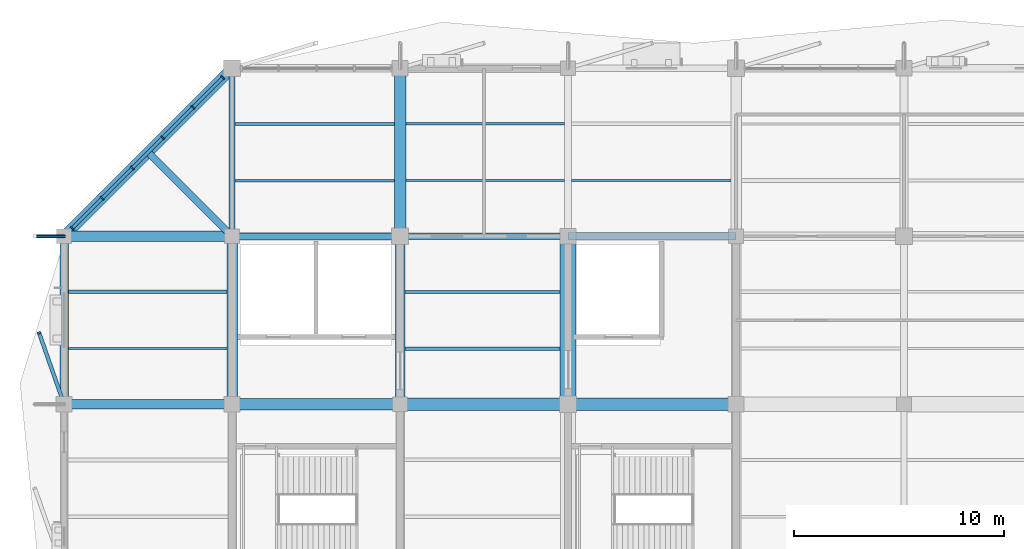
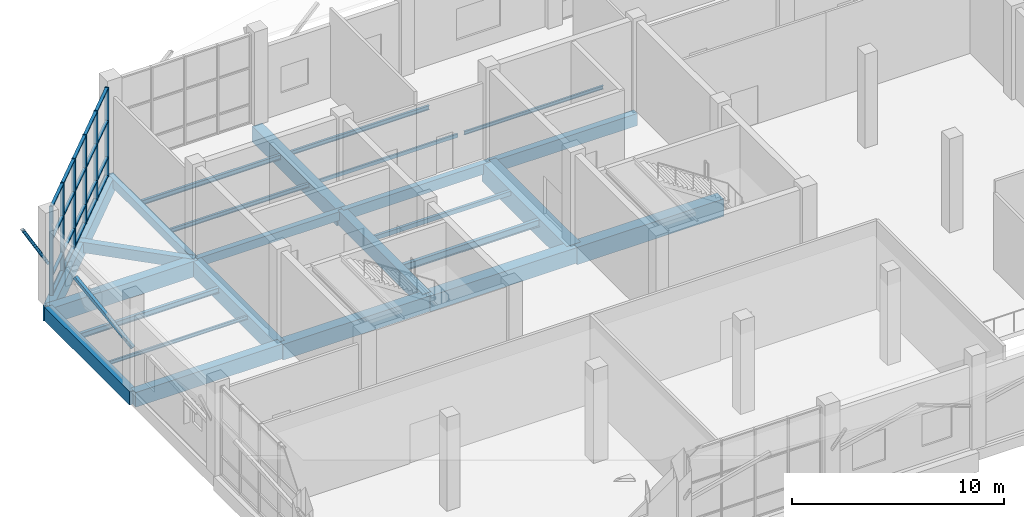
# One storey, part 36 of 122: 28 members, 25 beams, 1 element without a shape of its own.
"""IFC4 building model written with IfcOpenShell, lengths in metres."""

import ifcopenshell
import ifcopenshell.guid

model = None  # the IFC model being written
_history = None  # IfcOwnerHistory: only IFC2X3 demands one
_inside = {}  # id of a spatial element -> (the spatial element, [elements in it])
_under = {}  # id of a project, library or spatial element -> (it, [spatial elements below it])
_declared = {}  # id of a project -> (the project, [libraries it declares])
_typed = {}  # id of a type object -> (the type object, [elements of that type])
_made_of = {}  # id of a material, layer set ... -> (it, [elements and type objects made of it])


def new_model(schema):
    """Start an empty IFC model of exactly this schema.

    Asked for "IFC4X3", IfcOpenShell would pick the latest addendum, in which some entities
    have other attributes; the version numbers below select the first issue.
    IFC2X3 requires an IfcOwnerHistory on every rooted entity: one is made here for all.
    """
    global model, _history
    if schema == "IFC4X3":
        model = ifcopenshell.file(schema_version=(4, 3, 0, 0))
    else:
        model = ifcopenshell.file(schema=schema)
    _inside.clear()
    _under.clear()
    _declared.clear()
    _typed.clear()
    _made_of.clear()
    _history = None
    if model.schema == "IFC2X3":
        org = make("IfcOrganization", Name="unknown")
        user = make(
            "IfcPersonAndOrganization",
            ThePerson=make("IfcPerson", FamilyName="unknown"),
            TheOrganization=org,
        )
        app = make(
            "IfcApplication",
            ApplicationDeveloper=org,
            Version="unknown",
            ApplicationFullName="unknown",
            ApplicationIdentifier="unknown",
        )
        _history = make(
            "IfcOwnerHistory",
            OwningUser=user,
            OwningApplication=app,
            ChangeAction="ADDED",
            CreationDate=0,
        )
    return model


def make(cls, **values):
    """One entity of the class cls with the attributes given. An attribute that is None is left unset."""
    return model.create_entity(
        cls, **{name: value for name, value in values.items() if value is not None}
    )


def rooted(cls, **values):
    """An entity with a GlobalId (a new one), such as an element, a storey or a relation."""
    return make(cls, GlobalId=ifcopenshell.guid.new(), OwnerHistory=_history, **values)


def si_unit(unit_type, name, prefix=None):
    """IfcSIUnit, for example si_unit("LENGTHUNIT", "METRE", prefix="MILLI")."""
    return make("IfcSIUnit", UnitType=unit_type, Prefix=prefix, Name=name)


def assignment(units):
    """IfcUnitAssignment: the units of a project."""
    return None if units is None else make("IfcUnitAssignment", Units=units)


def point(xyz):
    """IfcCartesianPoint."""
    return None if xyz is None else make("IfcCartesianPoint", Coordinates=xyz)


def direction(xyz):
    """IfcDirection."""
    return None if xyz is None else make("IfcDirection", DirectionRatios=xyz)


def frame(location, z_axis=None, x_axis=None):
    """IfcAxis2Placement3D, a coordinate frame: its origin and axes. An axis left out is left unset."""
    return make(
        "IfcAxis2Placement3D",
        Location=point(location),
        Axis=direction(z_axis),
        RefDirection=direction(x_axis),
    )


def frame_2d(location, x_axis=None):
    """IfcAxis2Placement2D, a coordinate frame in the plane: its origin and x axis."""
    return make(
        "IfcAxis2Placement2D", Location=point(location), RefDirection=direction(x_axis)
    )


def origin():
    """The frame at (0, 0, 0) with its axes left unset."""
    return frame((0.0, 0.0, 0.0))


def origin_2d():
    """The frame at (0, 0) in the plane with its x axis left unset."""
    return frame_2d((0.0, 0.0))


def place(relative_to, where):
    """IfcLocalPlacement: puts the frame where relative to a parent placement (None: the world)."""
    return make(
        "IfcLocalPlacement", PlacementRelTo=relative_to, RelativePlacement=where
    )


def context(
    kind, dimensions, precision=None, world=None, true_north=None, identifier=None
):
    """IfcGeometricRepresentationContext, for example the 3D "Model" context."""
    return make(
        "IfcGeometricRepresentationContext",
        ContextIdentifier=identifier,
        ContextType=kind,
        CoordinateSpaceDimension=dimensions,
        Precision=precision,
        WorldCoordinateSystem=world,
        TrueNorth=true_north,
    )


def subcontext(parent, identifier, kind, view, scale=None):
    """IfcGeometricRepresentationSubContext, for example "Body" below "Model"."""
    return make(
        "IfcGeometricRepresentationSubContext",
        ContextIdentifier=identifier,
        ContextType=kind,
        ParentContext=parent,
        TargetScale=scale,
        TargetView=view,
    )


def project(units=None, contexts=None):
    """IfcProject with its units and contexts."""
    return rooted(
        "IfcProject",
        Name="project",
        RepresentationContexts=contexts,
        UnitsInContext=assignment(units),
    )


def spatial(cls, under=None, at=None, **own):
    """A site, building, storey or space (cls), placed at a placement, below another one or the project."""
    s = rooted(cls, ObjectPlacement=at, **own)
    if under is not None:
        _under.setdefault(under.id(), (under, []))[1].append(s)
    return s


def profile(cls, at=None, kind="AREA", **sizes):
    """A parametric profile (cls). Its sizes go by their IFC names, for example OverallWidth=200.0."""
    return make(cls, ProfileType=kind, Position=at, **sizes)


def rectangle(**sizes):
    """IfcRectangleProfileDef."""
    return profile("IfcRectangleProfileDef", **sizes)


def hollow_rectangle(**sizes):
    """IfcRectangleHollowProfileDef."""
    return profile("IfcRectangleHollowProfileDef", **sizes)


def hollow_circle(**sizes):
    """IfcCircleHollowProfileDef."""
    return profile("IfcCircleHollowProfileDef", **sizes)


def i_section(**sizes):
    """IfcIShapeProfileDef."""
    return profile("IfcIShapeProfileDef", **sizes)


def extrude(swept, where, along, depth):
    """IfcExtrudedAreaSolid: the profile swept, set in the frame where, extruded along a direction by depth."""
    return make(
        "IfcExtrudedAreaSolid",
        SweptArea=swept,
        Position=where,
        ExtrudedDirection=direction(along),
        Depth=depth,
    )


def shape(context_of_items, identifier, shape_type, items):
    """IfcShapeRepresentation: the items that make up one representation, for example the "Body"."""
    return make(
        "IfcShapeRepresentation",
        ContextOfItems=context_of_items,
        RepresentationIdentifier=identifier,
        RepresentationType=shape_type,
        Items=items,
    )


def material(Name=None, Category=None):
    """IfcMaterial."""
    return make("IfcMaterial", Name=Name, Category=Category)


def material_profile(
    of_material, cross_section, Name=None, Category=None, Priority=None
):
    """IfcMaterialProfile: a cross section and its material."""
    return make(
        "IfcMaterialProfile",
        Name=Name,
        Material=of_material,
        Profile=cross_section,
        Priority=Priority,
        Category=Category,
    )


def profile_set(profiles, Name=None, composite=None):
    """IfcMaterialProfileSet."""
    return make(
        "IfcMaterialProfileSet",
        Name=Name,
        MaterialProfiles=profiles,
        CompositeProfile=composite,
    )


def made_of(thing, what):
    """Note that an element or type object is made of a material, layer set ...; save() writes the relation."""
    if what is not None:
        _made_of.setdefault(what.id(), (what, []))[1].append(thing)
    return thing


def type_object(cls, material=None, **own):
    """A type object (cls), such as IfcWallType, which elements share."""
    return made_of(rooted(cls, **own), material)


def element(
    cls,
    number,
    at=None,
    inside=None,
    cuts=None,
    type_object=None,
    material=None,
    context=None,
    identifier="Body",
    shape_type=None,
    held_by="IfcProductDefinitionShape",
    body=None,
    shapes=None,
    **own,
):
    """One element of the class cls, such as IfcWall. Its Tag is "e" and its number.

    at: its placement. inside: the storey or other place that contains it. cuts: it is an
    opening in that element (IfcRelVoidsElement). A single representation is given by context,
    identifier, shape_type and body (its items); several are given by shapes. held_by: the class
    of the entity that holds the representations. save() writes the other relations.
    """
    e = rooted(cls, Tag="e%d" % number, ObjectPlacement=at, **own)
    if body is not None:
        shapes = [shape(context, identifier, shape_type, body)]
    if shapes is not None:
        e.Representation = make(held_by, Representations=shapes)
    if inside is not None:
        _inside.setdefault(inside.id(), (inside, []))[1].append(e)
    if cuts is not None:
        rooted(
            "IfcRelVoidsElement", RelatingBuildingElement=cuts, RelatedOpeningElement=e
        )
    if type_object is not None:
        _typed.setdefault(type_object.id(), (type_object, []))[1].append(e)
    return made_of(e, material)


def aggregate(whole, parts):
    """IfcRelAggregates: a whole, such as a stair, and the parts it consists of."""
    return rooted("IfcRelAggregates", RelatingObject=whole, RelatedObjects=parts)


def save(model, path):
    """Write the relations noted so far, then the file.

    IfcRelAggregates (storeys below a building ...), IfcRelContainedInSpatialStructure (elements
    in a storey), IfcRelDefinesByType, IfcRelAssociatesMaterial and IfcRelDeclares: one each for
    every whole, place, type object, material and project.
    """
    for whole, parts in _under.values():
        aggregate(whole, parts)
    for where, things in _inside.values():
        rooted(
            "IfcRelContainedInSpatialStructure",
            RelatedElements=things,
            RelatingStructure=where,
        )
    for kind, things in _typed.values():
        rooted("IfcRelDefinesByType", RelatedObjects=things, RelatingType=kind)
    for what, things in _made_of.values():
        rooted("IfcRelAssociatesMaterial", RelatedObjects=things, RelatingMaterial=what)
    for by, libraries in _declared.values():
        rooted("IfcRelDeclares", RelatingContext=by, RelatedDefinitions=libraries)
    model.write(path)


model = new_model("IFC4")

# Units and contexts
model_context = context("Model", 3, precision=1e-05, world=origin(), true_north=direction((0.0, 1.0)))
body_context = subcontext(model_context, "Body", "Model", "MODEL_VIEW")
ifc_project = project(units=[si_unit("LENGTHUNIT", "METRE"), si_unit("AREAUNIT", "SQUARE_METRE"), si_unit("VOLUMEUNIT", "CUBIC_METRE"), si_unit("PLANEANGLEUNIT", "RADIAN"), si_unit("MASSUNIT", "GRAM", prefix="KILO")], contexts=[model_context])

# Site, building, storey
site_placement = place(None, origin())
site = spatial("IfcSite", under=ifc_project, at=site_placement, CompositionType="ELEMENT")
building_placement = place(site_placement, origin())
building = spatial("IfcBuilding", under=site, at=building_placement, Name="Tenunan Teduh Sports Hall", CompositionType="ELEMENT")
storey_placement = place(building_placement, frame((0.0, 0.0, 5.39990234375)))
storey = spatial("IfcBuildingStorey", under=building, at=storey_placement, Name="L01", CompositionType="ELEMENT", Elevation=5.39990234375)

# Beams
ifc_material_1 = material(Name="Concrete C40/50", Category="concrete")
ifc_material_profile_1 = material_profile(ifc_material_1, rectangle(XDim=0.300048828125, YDim=0.5, at=origin_2d()), Name="RCB 300x500")
ifc_profile_set_1 = profile_set([ifc_material_profile_1], Name="Concrete C40/50")
beam_type_1 = type_object("IfcBeamType", Name="BM-RC-300x500", PredefinedType="BEAM", material=ifc_profile_set_1)
for number, where, z_axis, x_axis, name in (
    (1, (14.0, 110.0, -0.510009765625), (1.0, 0.0, 0.0), (0.0, 1.0, 0.0), "BM-B-01-L01-1156"),
    (2, (14.0, 110.0, -0.510009765625), (0.0, 1.0, 0.0), (-1.0, 0.0, 0.0), "BM-B-01-L01-1197"),
):
    element("IfcBeam", number, at=place(storey_placement, frame(where, z_axis=z_axis, x_axis=x_axis)), inside=storey, type_object=beam_type_1, Name=name, PredefinedType="BEAM", context=body_context, shape_type="SweptSolid", body=[
        extrude(rectangle(XDim=0.300048828125, YDim=0.5, at=origin_2d()), origin(), (0.0, 0.0, 1.0), 8.0),
    ])
ifc_material_2 = material(Name="Concrete C40/50", Category="concrete")
ifc_material_profile_2 = material_profile(ifc_material_2, rectangle(XDim=0.300048828125, YDim=0.60009765625, at=origin_2d()), Name="RCB 300x600")
ifc_profile_set_2 = profile_set([ifc_material_profile_2], Name="Concrete C40/50")
beam_type_2 = type_object("IfcBeamType", Name="BM-RC-300x600", PredefinedType="BEAM", material=ifc_profile_set_2)
beam_1_placement = place(storey_placement, frame((22.0, 110.0, -0.559814453125), z_axis=(1.0, 0.0, 0.0), x_axis=(0.0, 1.0, 0.0)))
element("IfcBeam", 3, at=beam_1_placement, inside=storey, type_object=beam_type_2, Name="BM-B-03-L01-1157", PredefinedType="BEAM", context=body_context, shape_type="SweptSolid", body=[
    extrude(rectangle(XDim=0.300048828125, YDim=0.60009765625, at=origin_2d()), origin(), (0.0, 0.0, 1.0), 8.0),
])
ifc_material_3 = material(Name="Concrete C40/50", Category="concrete")
ifc_material_profile_3 = material_profile(ifc_material_3, rectangle(XDim=0.35009765625, YDim=0.60009765625, at=origin_2d()), Name="RCB 350x600")
ifc_profile_set_3 = profile_set([ifc_material_profile_3], Name="Concrete C40/50")
beam_type_3 = type_object("IfcBeamType", Name="BM-RC-350x600", PredefinedType="BEAM", material=ifc_profile_set_3)
beam_2_placement = place(storey_placement, frame((14.0, 110.0, -0.559814453125), z_axis=(-0.707106781187, 0.707106781187, 0.0), x_axis=(-0.707106781187, -0.707106781187, 0.0)))
element("IfcBeam", 4, at=beam_2_placement, inside=storey, type_object=beam_type_3, Name="BM-B-04-L01-2223", PredefinedType="BEAM", context=body_context, shape_type="SweptSolid", body=[
    extrude(rectangle(XDim=0.35009765625, YDim=0.60009765625, at=origin_2d()), origin(), (0.0, 0.0, 1.0), 5.65673828125),
])
ifc_material_4 = material(Name="Concrete C40/50", Category="concrete")
ifc_material_profile_4 = material_profile(ifc_material_4, rectangle(XDim=0.35009765625, YDim=0.699951171875, at=origin_2d()), Name="RCB 350x700")
ifc_profile_set_4 = profile_set([ifc_material_profile_4], Name="Concrete C40/50")
beam_type_4 = type_object("IfcBeamType", Name="BM-RC-350x700", PredefinedType="BEAM", material=ifc_profile_set_4)
beam_3_placement = place(storey_placement, frame((30.0, 110.0, -0.60986328125), z_axis=(1.0, 0.0, 0.0), x_axis=(0.0, 1.0, 0.0)))
element("IfcBeam", 5, at=beam_3_placement, inside=storey, type_object=beam_type_4, Name="BM-B-06-L01-1158", PredefinedType="BEAM", context=body_context, shape_type="SweptSolid", body=[
    extrude(rectangle(XDim=0.35009765625, YDim=0.699951171875, at=origin_2d()), origin(), (0.0, 0.0, 1.0), 8.0),
])
ifc_material_5 = material(Name="Concrete C40/50", Category="concrete")
ifc_material_profile_5 = material_profile(ifc_material_5, rectangle(XDim=0.449951171875, YDim=0.85009765625, at=origin_2d()), Name="RCB 450x850")
ifc_profile_set_5 = profile_set([ifc_material_profile_5], Name="Concrete C40/50")
beam_type_5 = type_object("IfcBeamType", Name="BM-RC-450x850", PredefinedType="BEAM", material=ifc_profile_set_5)
for number, where, z_axis, x_axis, name in (
    (6, (6.0, 102.0, -0.684814453125), (1.0, 0.0, 0.0), (0.0, 1.0, 0.0), "BM-B-13-L01-1138"),
    (7, (22.0, 102.0, -0.684814453125), (0.0, 1.0, 0.0), (-1.0, 0.0, 0.0), "BM-B-13-L01-1201"),
):
    element("IfcBeam", number, at=place(storey_placement, frame(where, z_axis=z_axis, x_axis=x_axis)), inside=storey, type_object=beam_type_5, Name=name, PredefinedType="BEAM", context=body_context, shape_type="SweptSolid", body=[
        extrude(rectangle(XDim=0.449951171875, YDim=0.85009765625, at=origin_2d()), origin(), (0.0, 0.0, 1.0), 8.0),
    ])
ifc_material_6 = material(Name="Concrete C40/50", Category="concrete")
ifc_material_profile_6 = material_profile(ifc_material_6, rectangle(XDim=0.5, YDim=0.89990234375, at=origin_2d()), Name="RCB 500x900")
ifc_profile_set_6 = profile_set([ifc_material_profile_6], Name="Concrete C40/50")
beam_type_6 = type_object("IfcBeamType", Name="BM-RC-500x900", PredefinedType="BEAM", material=ifc_profile_set_6)
beam_4_placement = place(storey_placement, frame((6.0, 110.0, -0.7099609375), z_axis=(0.707106781187, 0.707106781187, 0.0), x_axis=(-0.707106781187, 0.707106781187, 0.0)))
element("IfcBeam", 8, at=beam_4_placement, inside=storey, type_object=beam_type_6, Name="BM-B-15-L01-0588", PredefinedType="BEAM", context=body_context, shape_type="SweptSolid", body=[
    extrude(rectangle(XDim=0.5, YDim=0.89990234375, at=origin_2d()), origin(), (0.0, 0.0, 1.0), 11.313720703125),
])
for number, where, z_axis, x_axis, name in (
    (9, (6.0, 110.0, -0.7099609375), (1.0, 0.0, 0.0), (0.0, 1.0, 0.0), "BM-B-15-L01-1155"),
    (10, (14.0, 102.0, -0.7099609375), (0.0, 1.0, 0.0), (-1.0, 0.0, 0.0), "BM-B-15-L01-1196"),
):
    element("IfcBeam", number, at=place(storey_placement, frame(where, z_axis=z_axis, x_axis=x_axis)), inside=storey, type_object=beam_type_6, Name=name, PredefinedType="BEAM", context=body_context, shape_type="SweptSolid", body=[
        extrude(rectangle(XDim=0.5, YDim=0.89990234375, at=origin_2d()), origin(), (0.0, 0.0, 1.0), 8.0),
    ])
ifc_material_7 = material(Name="Concrete C40/50", Category="concrete")
ifc_material_profile_7 = material_profile(ifc_material_7, rectangle(XDim=0.550048828125, YDim=0.89990234375, at=origin_2d()), Name="RCB 550x900")
ifc_profile_set_7 = profile_set([ifc_material_profile_7], Name="Concrete C40/50")
beam_type_7 = type_object("IfcBeamType", Name="BM-RC-550x900", PredefinedType="BEAM", material=ifc_profile_set_7)
for number, where, z_axis, x_axis, name in (
    (11, (14.0, 102.0, -0.7099609375), (1.0, 0.0, 0.0), (0.0, 1.0, 0.0), "BM-B-16-L01-1139"),
    (12, (22.0, 110.0, -0.7099609375), (0.0, 1.0, 0.0), (-1.0, 0.0, 0.0), "BM-B-16-L01-1202"),
):
    element("IfcBeam", number, at=place(storey_placement, frame(where, z_axis=z_axis, x_axis=x_axis)), inside=storey, type_object=beam_type_7, Name=name, PredefinedType="BEAM", context=body_context, shape_type="SweptSolid", body=[
        extrude(rectangle(XDim=0.550048828125, YDim=0.89990234375, at=origin_2d()), origin(), (0.0, 0.0, 1.0), 8.0),
    ])
ifc_material_8 = material(Name="Concrete C40/50", Category="concrete")
ifc_material_profile_8 = material_profile(ifc_material_8, rectangle(XDim=0.60009765625, YDim=1.0, at=origin_2d()), Name="RCB 600x1000")
ifc_profile_set_8 = profile_set([ifc_material_profile_8], Name="Concrete C40/50")
beam_type_8 = type_object("IfcBeamType", Name="BM-RC-600x1000", PredefinedType="BEAM", material=ifc_profile_set_8)
beam_5_placement = place(storey_placement, frame((30.0, 102.0, -0.760009765625), z_axis=(1.0, 0.0, 0.0), x_axis=(0.0, 1.0, 0.0)))
element("IfcBeam", 13, at=beam_5_placement, inside=storey, type_object=beam_type_8, Name="BM-B-18-L01-1141", PredefinedType="BEAM", context=body_context, shape_type="SweptSolid", body=[
    extrude(rectangle(XDim=0.60009765625, YDim=1.0, at=origin_2d()), origin(), (0.0, 0.0, 1.0), 8.0),
])
ifc_material_9 = material(Name="Concrete C40/50", Category="concrete")
ifc_material_profile_9 = material_profile(ifc_material_9, rectangle(XDim=0.60009765625, YDim=0.89990234375, at=origin_2d()), Name="RCB 600x900")
ifc_profile_set_9 = profile_set([ifc_material_profile_9], Name="Concrete C40/50")
beam_type_9 = type_object("IfcBeamType", Name="BM-RC-600x900", PredefinedType="BEAM", material=ifc_profile_set_9)
beam_6_placement = place(storey_placement, frame((22.0, 102.0, -0.7099609375), z_axis=(1.0, 0.0, 0.0), x_axis=(0.0, 1.0, 0.0)))
element("IfcBeam", 14, at=beam_6_placement, inside=storey, type_object=beam_type_9, Name="BM-B-17-L01-1140", PredefinedType="BEAM", context=body_context, shape_type="SweptSolid", body=[
    extrude(rectangle(XDim=0.60009765625, YDim=0.89990234375, at=origin_2d()), origin(), (0.0, 0.0, 1.0), 8.0),
])
ifc_material_10 = material(Name="Concrete C40/50", Category="concrete")
ifc_material_profile_10 = material_profile(ifc_material_10, rectangle(XDim=0.75, YDim=1.10009765625, at=origin_2d()), Name="RCB 750x1100")
ifc_profile_set_10 = profile_set([ifc_material_profile_10], Name="Concrete C40/50")
beam_type_10 = type_object("IfcBeamType", Name="BM-RC-750x1100", PredefinedType="SPANDREL", material=ifc_profile_set_10)
beam_7_placement = place(storey_placement, frame((30.0, 102.0, -0.809814453125), z_axis=(0.0, 1.0, 0.0), x_axis=(-1.0, 0.0, 0.0)))
element("IfcBeam", 15, at=beam_7_placement, inside=storey, type_object=beam_type_10, Name="BM-B-20-L01-1206", PredefinedType="SPANDREL", context=body_context, shape_type="SweptSolid", body=[
    extrude(rectangle(XDim=0.75, YDim=1.10009765625, at=origin_2d()), origin(), (0.0, 0.0, 1.0), 8.0),
])
ifc_material_11 = material(Name="Concrete C40/50", Category="concrete")
ifc_material_profile_11 = material_profile(ifc_material_11, rectangle(XDim=0.39990234375, YDim=0.780029296875, at=origin_2d()), Name="TB 400x780")
ifc_profile_set_11 = profile_set([ifc_material_profile_11], Name="Concrete C40/50")
beam_type_11 = type_object("IfcBeamType", Name="BM-TB-400x780", PredefinedType="T_BEAM", material=ifc_profile_set_11)
beam_8_placement = place(storey_placement, frame((6.0, 102.0, -0.64990234375), z_axis=(0.0, 1.0, 0.0), x_axis=(-1.0, 0.0, 0.0)))
element("IfcBeam", 16, at=beam_8_placement, inside=storey, type_object=beam_type_11, Name="BM-TB-02-L01-1192", PredefinedType="T_BEAM", context=body_context, shape_type="SweptSolid", body=[
    extrude(rectangle(XDim=0.39990234375, YDim=0.780029296875, at=origin_2d()), origin(), (0.0, 0.0, 1.0), 8.0),
])

# Curtain wall, members
ifc_material_12 = material(Name="Anodised aluminium", Category="aluminium")
curtain_wall_type = type_object("IfcCurtainWallType", Name="CW-UNIT-1", PredefinedType="NOTDEFINED", material=ifc_material_12)
curtain_wall_placement = place(storey_placement, origin())
curtain_wall = element("IfcCurtainWall", 17, at=curtain_wall_placement, inside=storey, type_object=curtain_wall_type, Name="CW-CWM-200-L01-208", PredefinedType="NOTDEFINED")
ifc_material_13 = material(Name="Anodised aluminium", Category="aluminium")
ifc_material_profile_12 = material_profile(ifc_material_13, rectangle(XDim=0.070068359375, YDim=0.199951171875, at=origin_2d()), Name="CWM 70x200")
ifc_profile_set_12 = profile_set([ifc_material_profile_12], Name="Anodised aluminium")
member_type_1 = type_object("IfcMemberType", Name="CWM-200", PredefinedType="MULLION", material=ifc_profile_set_12)
member_1_placement = place(storey_placement, frame((6.392333984375, 110.392333984375, 0.0), z_axis=(0.0, 0.0, 1.0), x_axis=(0.707106781187, 0.707106781187, 0.0)))
member_1 = element("IfcMember", 18, at=member_1_placement, type_object=member_type_1, Name="CW-01 mullion 1", PredefinedType="MULLION", context=body_context, shape_type="SweptSolid", body=[
    extrude(rectangle(XDim=0.070068359375, YDim=0.199951171875, at=origin_2d()), origin(), (0.0, 0.0, 1.0), 5.1201171875),
])
member_2_placement = place(storey_placement, frame((7.81005859375, 111.81005859375, 0.0), z_axis=(0.0, 0.0, 1.0), x_axis=(0.707106781187, 0.707106781187, 0.0)))
member_2 = element("IfcMember", 19, at=member_2_placement, type_object=member_type_1, Name="CW-01 mullion 2", PredefinedType="MULLION", context=body_context, shape_type="SweptSolid", body=[
    extrude(rectangle(XDim=0.070068359375, YDim=0.199951171875, at=origin_2d()), origin(), (0.0, 0.0, 1.0), 5.1201171875),
])
member_3_placement = place(storey_placement, frame((9.25244140625, 113.25244140625, 0.0), z_axis=(0.0, 0.0, 1.0), x_axis=(0.707106781187, 0.707106781187, 0.0)))
member_3 = element("IfcMember", 20, at=member_3_placement, type_object=member_type_1, Name="CW-01 mullion 3", PredefinedType="MULLION", context=body_context, shape_type="SweptSolid", body=[
    extrude(rectangle(XDim=0.070068359375, YDim=0.199951171875, at=origin_2d()), origin(), (0.0, 0.0, 1.0), 5.1201171875),
])
member_4_placement = place(storey_placement, frame((10.695068359375, 114.695068359375, 0.0), z_axis=(0.0, 0.0, 1.0), x_axis=(0.707106781187, 0.707106781187, 0.0)))
member_4 = element("IfcMember", 21, at=member_4_placement, type_object=member_type_1, Name="CW-01 mullion 4", PredefinedType="MULLION", context=body_context, shape_type="SweptSolid", body=[
    extrude(rectangle(XDim=0.070068359375, YDim=0.199951171875, at=origin_2d()), origin(), (0.0, 0.0, 1.0), 5.1201171875),
])
member_5_placement = place(storey_placement, frame((12.137451171875, 116.137451171875, 0.0), z_axis=(0.0, 0.0, 1.0), x_axis=(0.707106781187, 0.707106781187, 0.0)))
member_5 = element("IfcMember", 22, at=member_5_placement, type_object=member_type_1, Name="CW-01 mullion 5", PredefinedType="MULLION", context=body_context, shape_type="SweptSolid", body=[
    extrude(rectangle(XDim=0.070068359375, YDim=0.199951171875, at=origin_2d()), origin(), (0.0, 0.0, 1.0), 5.1201171875),
])
member_6_placement = place(storey_placement, frame((13.55517578125, 117.55517578125, 0.0), z_axis=(0.0, 0.0, 1.0), x_axis=(0.707106781187, 0.707106781187, 0.0)))
member_6 = element("IfcMember", 23, at=member_6_placement, type_object=member_type_1, Name="CW-01 mullion 6", PredefinedType="MULLION", context=body_context, shape_type="SweptSolid", body=[
    extrude(rectangle(XDim=0.070068359375, YDim=0.199951171875, at=origin_2d()), origin(), (0.0, 0.0, 1.0), 5.1201171875),
])
ifc_material_14 = material(Name="Anodised aluminium", Category="aluminium")
ifc_material_profile_13 = material_profile(ifc_material_14, rectangle(XDim=0.070068359375, YDim=0.159912109375, at=origin_2d()), Name="CWT 70x160")
ifc_profile_set_13 = profile_set([ifc_material_profile_13], Name="Anodised aluminium")
member_type_2 = type_object("IfcMemberType", Name="CWT-200", PredefinedType="USERDEFINED", material=ifc_profile_set_13)
member_7_placement = place(storey_placement, frame((6.4169921875, 110.4169921875, 0.03515625), z_axis=(0.707106781187, 0.707106781187, 0.0), x_axis=(0.0, 0.0, 1.0)))
member_7 = element("IfcMember", 24, at=member_7_placement, type_object=member_type_2, Name="CW-01 transom 1.1", ObjectType="TRANSOM", PredefinedType="USERDEFINED", context=body_context, shape_type="SweptSolid", body=[
    extrude(rectangle(XDim=0.070068359375, YDim=0.159912109375, at=origin_2d()), origin(), (0.0, 0.0, 1.0), 1.934814453125),
])
member_8_placement = place(storey_placement, frame((6.4169921875, 110.4169921875, 1.10009765625), z_axis=(0.707106781187, 0.707106781187, 0.0), x_axis=(0.0, 0.0, 1.0)))
member_8 = element("IfcMember", 25, at=member_8_placement, type_object=member_type_2, Name="CW-01 transom 1.2", ObjectType="TRANSOM", PredefinedType="USERDEFINED", context=body_context, shape_type="SweptSolid", body=[
    extrude(rectangle(XDim=0.070068359375, YDim=0.159912109375, at=origin_2d()), origin(), (0.0, 0.0, 1.0), 1.934814453125),
])
member_9_placement = place(storey_placement, frame((6.4169921875, 110.4169921875, 3.2001953125), z_axis=(0.707106781187, 0.707106781187, 0.0), x_axis=(0.0, 0.0, 1.0)))
member_9 = element("IfcMember", 26, at=member_9_placement, type_object=member_type_2, Name="CW-01 transom 1.3", ObjectType="TRANSOM", PredefinedType="USERDEFINED", context=body_context, shape_type="SweptSolid", body=[
    extrude(rectangle(XDim=0.070068359375, YDim=0.159912109375, at=origin_2d()), origin(), (0.0, 0.0, 1.0), 1.934814453125),
])
member_10_placement = place(storey_placement, frame((6.4169921875, 110.4169921875, 5.085205078125), z_axis=(0.707106781187, 0.707106781187, 0.0), x_axis=(0.0, 0.0, 1.0)))
member_10 = element("IfcMember", 27, at=member_10_placement, type_object=member_type_2, Name="CW-01 transom 1.4", ObjectType="TRANSOM", PredefinedType="USERDEFINED", context=body_context, shape_type="SweptSolid", body=[
    extrude(rectangle(XDim=0.070068359375, YDim=0.159912109375, at=origin_2d()), origin(), (0.0, 0.0, 1.0), 1.934814453125),
])
member_11_placement = place(storey_placement, frame((7.834716796875, 111.834716796875, 0.03515625), z_axis=(0.707106781187, 0.707106781187, 0.0), x_axis=(0.0, 0.0, 1.0)))
member_11 = element("IfcMember", 28, at=member_11_placement, type_object=member_type_2, Name="CW-01 transom 2.1", ObjectType="TRANSOM", PredefinedType="USERDEFINED", context=body_context, shape_type="SweptSolid", body=[
    extrude(rectangle(XDim=0.070068359375, YDim=0.159912109375, at=origin_2d()), origin(), (0.0, 0.0, 1.0), 1.97021484375),
])
member_12_placement = place(storey_placement, frame((7.834716796875, 111.834716796875, 1.10009765625), z_axis=(0.707106781187, 0.707106781187, 0.0), x_axis=(0.0, 0.0, 1.0)))
member_12 = element("IfcMember", 29, at=member_12_placement, type_object=member_type_2, Name="CW-01 transom 2.2", ObjectType="TRANSOM", PredefinedType="USERDEFINED", context=body_context, shape_type="SweptSolid", body=[
    extrude(rectangle(XDim=0.070068359375, YDim=0.159912109375, at=origin_2d()), origin(), (0.0, 0.0, 1.0), 1.97021484375),
])
member_13_placement = place(storey_placement, frame((7.834716796875, 111.834716796875, 3.2001953125), z_axis=(0.707106781187, 0.707106781187, 0.0), x_axis=(0.0, 0.0, 1.0)))
member_13 = element("IfcMember", 30, at=member_13_placement, type_object=member_type_2, Name="CW-01 transom 2.3", ObjectType="TRANSOM", PredefinedType="USERDEFINED", context=body_context, shape_type="SweptSolid", body=[
    extrude(rectangle(XDim=0.070068359375, YDim=0.159912109375, at=origin_2d()), origin(), (0.0, 0.0, 1.0), 1.97021484375),
])
member_14_placement = place(storey_placement, frame((7.834716796875, 111.834716796875, 5.085205078125), z_axis=(0.707106781187, 0.707106781187, 0.0), x_axis=(0.0, 0.0, 1.0)))
member_14 = element("IfcMember", 31, at=member_14_placement, type_object=member_type_2, Name="CW-01 transom 2.4", ObjectType="TRANSOM", PredefinedType="USERDEFINED", context=body_context, shape_type="SweptSolid", body=[
    extrude(rectangle(XDim=0.070068359375, YDim=0.159912109375, at=origin_2d()), origin(), (0.0, 0.0, 1.0), 1.97021484375),
])
member_15_placement = place(storey_placement, frame((9.27734375, 113.27734375, 0.03515625), z_axis=(0.707106781187, 0.707106781187, 0.0), x_axis=(0.0, 0.0, 1.0)))
member_15 = element("IfcMember", 32, at=member_15_placement, type_object=member_type_2, Name="CW-01 transom 3.1", ObjectType="TRANSOM", PredefinedType="USERDEFINED", context=body_context, shape_type="SweptSolid", body=[
    extrude(rectangle(XDim=0.070068359375, YDim=0.159912109375, at=origin_2d()), origin(), (0.0, 0.0, 1.0), 1.9697265625),
])
member_16_placement = place(storey_placement, frame((9.27734375, 113.27734375, 1.10009765625), z_axis=(0.707106781187, 0.707106781187, 0.0), x_axis=(0.0, 0.0, 1.0)))
member_16 = element("IfcMember", 33, at=member_16_placement, type_object=member_type_2, Name="CW-01 transom 3.2", ObjectType="TRANSOM", PredefinedType="USERDEFINED", context=body_context, shape_type="SweptSolid", body=[
    extrude(rectangle(XDim=0.070068359375, YDim=0.159912109375, at=origin_2d()), origin(), (0.0, 0.0, 1.0), 1.9697265625),
])
member_17_placement = place(storey_placement, frame((9.27734375, 113.27734375, 3.2001953125), z_axis=(0.707106781187, 0.707106781187, 0.0), x_axis=(0.0, 0.0, 1.0)))
member_17 = element("IfcMember", 34, at=member_17_placement, type_object=member_type_2, Name="CW-01 transom 3.3", ObjectType="TRANSOM", PredefinedType="USERDEFINED", context=body_context, shape_type="SweptSolid", body=[
    extrude(rectangle(XDim=0.070068359375, YDim=0.159912109375, at=origin_2d()), origin(), (0.0, 0.0, 1.0), 1.9697265625),
])
member_18_placement = place(storey_placement, frame((9.27734375, 113.27734375, 5.085205078125), z_axis=(0.707106781187, 0.707106781187, 0.0), x_axis=(0.0, 0.0, 1.0)))
member_18 = element("IfcMember", 35, at=member_18_placement, type_object=member_type_2, Name="CW-01 transom 3.4", ObjectType="TRANSOM", PredefinedType="USERDEFINED", context=body_context, shape_type="SweptSolid", body=[
    extrude(rectangle(XDim=0.070068359375, YDim=0.159912109375, at=origin_2d()), origin(), (0.0, 0.0, 1.0), 1.9697265625),
])
member_19_placement = place(storey_placement, frame((10.7197265625, 114.7197265625, 0.03515625), z_axis=(0.707106781187, 0.707106781187, 0.0), x_axis=(0.0, 0.0, 1.0)))
member_19 = element("IfcMember", 36, at=member_19_placement, type_object=member_type_2, Name="CW-01 transom 4.1", ObjectType="TRANSOM", PredefinedType="USERDEFINED", context=body_context, shape_type="SweptSolid", body=[
    extrude(rectangle(XDim=0.070068359375, YDim=0.159912109375, at=origin_2d()), origin(), (0.0, 0.0, 1.0), 1.97021484375),
])
member_20_placement = place(storey_placement, frame((10.7197265625, 114.7197265625, 1.10009765625), z_axis=(0.707106781187, 0.707106781187, 0.0), x_axis=(0.0, 0.0, 1.0)))
member_20 = element("IfcMember", 37, at=member_20_placement, type_object=member_type_2, Name="CW-01 transom 4.2", ObjectType="TRANSOM", PredefinedType="USERDEFINED", context=body_context, shape_type="SweptSolid", body=[
    extrude(rectangle(XDim=0.070068359375, YDim=0.159912109375, at=origin_2d()), origin(), (0.0, 0.0, 1.0), 1.97021484375),
])
member_21_placement = place(storey_placement, frame((10.7197265625, 114.7197265625, 3.2001953125), z_axis=(0.707106781187, 0.707106781187, 0.0), x_axis=(0.0, 0.0, 1.0)))
member_21 = element("IfcMember", 38, at=member_21_placement, type_object=member_type_2, Name="CW-01 transom 4.3", ObjectType="TRANSOM", PredefinedType="USERDEFINED", context=body_context, shape_type="SweptSolid", body=[
    extrude(rectangle(XDim=0.070068359375, YDim=0.159912109375, at=origin_2d()), origin(), (0.0, 0.0, 1.0), 1.97021484375),
])
member_22_placement = place(storey_placement, frame((10.7197265625, 114.7197265625, 5.085205078125), z_axis=(0.707106781187, 0.707106781187, 0.0), x_axis=(0.0, 0.0, 1.0)))
member_22 = element("IfcMember", 39, at=member_22_placement, type_object=member_type_2, Name="CW-01 transom 4.4", ObjectType="TRANSOM", PredefinedType="USERDEFINED", context=body_context, shape_type="SweptSolid", body=[
    extrude(rectangle(XDim=0.070068359375, YDim=0.159912109375, at=origin_2d()), origin(), (0.0, 0.0, 1.0), 1.97021484375),
])
member_23_placement = place(storey_placement, frame((12.162353515625, 116.162353515625, 0.03515625), z_axis=(0.707106781187, 0.707106781187, 0.0), x_axis=(0.0, 0.0, 1.0)))
member_23 = element("IfcMember", 40, at=member_23_placement, type_object=member_type_2, Name="CW-01 transom 5.1", ObjectType="TRANSOM", PredefinedType="USERDEFINED", context=body_context, shape_type="SweptSolid", body=[
    extrude(rectangle(XDim=0.070068359375, YDim=0.159912109375, at=origin_2d()), origin(), (0.0, 0.0, 1.0), 1.934814453125),
])
member_24_placement = place(storey_placement, frame((12.162353515625, 116.162353515625, 1.10009765625), z_axis=(0.707106781187, 0.707106781187, 0.0), x_axis=(0.0, 0.0, 1.0)))
member_24 = element("IfcMember", 41, at=member_24_placement, type_object=member_type_2, Name="CW-01 transom 5.2", ObjectType="TRANSOM", PredefinedType="USERDEFINED", context=body_context, shape_type="SweptSolid", body=[
    extrude(rectangle(XDim=0.070068359375, YDim=0.159912109375, at=origin_2d()), origin(), (0.0, 0.0, 1.0), 1.934814453125),
])
member_25_placement = place(storey_placement, frame((12.162353515625, 116.162353515625, 3.2001953125), z_axis=(0.707106781187, 0.707106781187, 0.0), x_axis=(0.0, 0.0, 1.0)))
member_25 = element("IfcMember", 42, at=member_25_placement, type_object=member_type_2, Name="CW-01 transom 5.3", ObjectType="TRANSOM", PredefinedType="USERDEFINED", context=body_context, shape_type="SweptSolid", body=[
    extrude(rectangle(XDim=0.070068359375, YDim=0.159912109375, at=origin_2d()), origin(), (0.0, 0.0, 1.0), 1.934814453125),
])
member_26_placement = place(storey_placement, frame((12.162353515625, 116.162353515625, 5.085205078125), z_axis=(0.707106781187, 0.707106781187, 0.0), x_axis=(0.0, 0.0, 1.0)))
member_26 = element("IfcMember", 43, at=member_26_placement, type_object=member_type_2, Name="CW-01 transom 5.4", ObjectType="TRANSOM", PredefinedType="USERDEFINED", context=body_context, shape_type="SweptSolid", body=[
    extrude(rectangle(XDim=0.070068359375, YDim=0.159912109375, at=origin_2d()), origin(), (0.0, 0.0, 1.0), 1.934814453125),
])
aggregate(curtain_wall, [member_1, member_2, member_3, member_4, member_5, member_6, member_7, member_8, member_9, member_10, member_11, member_12, member_13, member_14, member_15, member_16, member_17, member_18, member_19, member_20, member_21, member_22, member_23, member_24, member_25, member_26])

# Beams
ifc_material_15 = material(Name="Steel S355", Category="steel")
ifc_material_profile_14 = material_profile(ifc_material_15, i_section(OverallWidth=0.10009765625, OverallDepth=0.199951171875, WebThickness=0.005615234375, FlangeThickness=0.008544921875, FilletRadius=0.011962890625, at=origin_2d()), Name="IPE 200")
ifc_profile_set_14 = profile_set([ifc_material_profile_14], Name="Steel S355")
beam_type_12 = type_object("IfcBeamType", Name="JST-IPE200", PredefinedType="JOIST", material=ifc_profile_set_14)
beam_9_placement = place(storey_placement, frame((6.199951171875, 104.64990234375, -0.35986328125), z_axis=(1.0, 0.0, 0.0), x_axis=(0.0, 1.0, 0.0)))
element("IfcBeam", 44, at=beam_9_placement, inside=storey, type_object=beam_type_12, Name="BM-J-01-L01-1314", PredefinedType="JOIST", context=body_context, shape_type="SweptSolid", body=[
    extrude(i_section(OverallWidth=0.10009765625, OverallDepth=0.199951171875, WebThickness=0.005615234375, FlangeThickness=0.008544921875, FilletRadius=0.011962890625, at=origin_2d()), origin(), (0.0, 0.0, 1.0), 7.550048828125),
])
beam_10_placement = place(storey_placement, frame((30.175048828125, 112.64990234375, -0.35986328125), z_axis=(1.0, 0.0, 0.0), x_axis=(0.0, 1.0, 0.0)))
element("IfcBeam", 45, at=beam_10_placement, inside=storey, type_object=beam_type_12, Name="BM-J-01-L01-1336", PredefinedType="JOIST", context=body_context, shape_type="SweptSolid", body=[
    extrude(i_section(OverallWidth=0.10009765625, OverallDepth=0.199951171875, WebThickness=0.005615234375, FlangeThickness=0.008544921875, FilletRadius=0.011962890625, at=origin_2d()), origin(), (0.0, 0.0, 1.0), 7.574951171875),
])
ifc_material_16 = material(Name="Steel S355", Category="steel")
ifc_material_profile_15 = material_profile(ifc_material_16, i_section(OverallWidth=0.1201171875, OverallDepth=0.239990234375, WebThickness=0.006103515625, FlangeThickness=0.009765625, FilletRadius=0.014892578125, at=origin_2d()), Name="IPE 240")
ifc_profile_set_15 = profile_set([ifc_material_profile_15], Name="Steel S355")
beam_type_13 = type_object("IfcBeamType", Name="JST-IPE240", PredefinedType="JOIST", material=ifc_profile_set_15)
beam_11_placement = place(storey_placement, frame((14.14990234375, 112.64990234375, -0.3798828125), z_axis=(1.0, 0.0, 0.0), x_axis=(0.0, 1.0, 0.0)))
element("IfcBeam", 46, at=beam_11_placement, inside=storey, type_object=beam_type_13, Name="BM-J-02-L01-1320", PredefinedType="JOIST", context=body_context, shape_type="SweptSolid", body=[
    extrude(i_section(OverallWidth=0.1201171875, OverallDepth=0.239990234375, WebThickness=0.006103515625, FlangeThickness=0.009765625, FilletRadius=0.014892578125, at=origin_2d()), origin(), (0.0, 0.0, 1.0), 7.5751953125),
])
beam_12_placement = place(storey_placement, frame((22.27490234375, 115.35009765625, -0.3798828125), z_axis=(1.0, 0.0, 0.0), x_axis=(0.0, 1.0, 0.0)))
element("IfcBeam", 47, at=beam_12_placement, inside=storey, type_object=beam_type_13, Name="BM-J-02-L01-1331", PredefinedType="JOIST", context=body_context, shape_type="SweptSolid", body=[
    extrude(i_section(OverallWidth=0.1201171875, OverallDepth=0.239990234375, WebThickness=0.006103515625, FlangeThickness=0.009765625, FilletRadius=0.014892578125, at=origin_2d()), origin(), (0.0, 0.0, 1.0), 7.550048828125),
])
ifc_material_17 = material(Name="Steel S355", Category="steel")
ifc_material_profile_16 = material_profile(ifc_material_17, i_section(OverallWidth=0.135009765625, OverallDepth=0.27001953125, WebThickness=0.006591796875, FlangeThickness=0.01025390625, FilletRadius=0.014892578125, at=origin_2d()), Name="IPE 270")
ifc_profile_set_16 = profile_set([ifc_material_profile_16], Name="Steel S355")
beam_type_14 = type_object("IfcBeamType", Name="JST-IPE270", PredefinedType="JOIST", material=ifc_profile_set_16)
beam_13_placement = place(storey_placement, frame((14.14990234375, 115.35009765625, -0.39501953125), z_axis=(1.0, 0.0, 0.0), x_axis=(0.0, 1.0, 0.0)))
element("IfcBeam", 48, at=beam_13_placement, inside=storey, type_object=beam_type_14, Name="BM-J-03-L01-1321", PredefinedType="JOIST", context=body_context, shape_type="SweptSolid", body=[
    extrude(i_section(OverallWidth=0.135009765625, OverallDepth=0.27001953125, WebThickness=0.006591796875, FlangeThickness=0.01025390625, FilletRadius=0.014892578125, at=origin_2d()), origin(), (0.0, 0.0, 1.0), 7.5751953125),
])

# Members
ifc_material_18 = material(Name="Steel S355", Category="steel")
ifc_material_profile_17 = material_profile(ifc_material_18, hollow_circle(Radius=0.084228515625, WallThickness=0.008056640625, at=origin_2d()), Name="CHS 168.3x8.0")
ifc_profile_set_17 = profile_set([ifc_material_profile_17], Name="Steel S355")
member_type_3 = type_object("IfcMemberType", Name="MEM-BR-CHS168", PredefinedType="BRACE", material=ifc_profile_set_17)
member_27_placement = place(storey_placement, frame((6.0, 110.0, 2.2001953125), z_axis=(-0.50074019483, 0.0, 0.865597630127), x_axis=(0.0, -1.0, 0.0)))
element("IfcMember", 49, at=member_27_placement, inside=storey, type_object=member_type_3, Name="MEM-GD-04-L01-1205", PredefinedType="BRACE", context=body_context, shape_type="SweptSolid", body=[
    extrude(hollow_circle(Radius=0.084228515625, WallThickness=0.008056640625, at=origin_2d()), origin(), (0.0, 0.0, 1.0), 2.795654296875),
])
ifc_material_19 = material(Name="Steel S355", Category="steel")
ifc_material_profile_18 = material_profile(ifc_material_19, hollow_rectangle(XDim=0.179931640625, YDim=0.179931640625, WallThickness=0.010009765625, at=origin_2d()), Name="SHS 180x180x10.0")
ifc_profile_set_18 = profile_set([ifc_material_profile_18], Name="Steel S355")
member_type_4 = type_object("IfcMemberType", Name="MEM-ST-SHS180", PredefinedType="STRUT", material=ifc_profile_set_18)
member_28_placement = place(storey_placement, frame((6.0, 102.0, 2.2001953125), z_axis=(-0.274211215508, 0.78347669002, 0.557649070191), x_axis=(-0.943860469656, -0.330344386694, 0.0)))
element("IfcMember", 50, at=member_28_placement, inside=storey, type_object=member_type_4, Name="MEM-VS-03-L01-1204", PredefinedType="STRUT", context=body_context, shape_type="SweptSolid", body=[
    extrude(hollow_rectangle(XDim=0.179931640625, YDim=0.179931640625, WallThickness=0.010009765625, at=origin_2d()), origin(), (0.0, 0.0, 1.0), 4.339599609375),
])

# Beams
ifc_material_20 = material(Name="Steel S355", Category="steel")
ifc_material_profile_19 = material_profile(ifc_material_20, hollow_rectangle(XDim=0.10009765625, YDim=0.199951171875, WallThickness=0.008056640625, at=origin_2d()), Name="RHS 200x100x8.0")
ifc_profile_set_19 = profile_set([ifc_material_profile_19], Name="Steel S355")
beam_type_15 = type_object("IfcBeamType", Name="RBM-RHS200", PredefinedType="JOIST", material=ifc_profile_set_19)
beam_14_placement = place(storey_placement, frame((22.27490234375, 112.64990234375, -0.35986328125), z_axis=(1.0, 0.0, 0.0), x_axis=(0.0, 1.0, 0.0)))
element("IfcBeam", 51, at=beam_14_placement, inside=storey, type_object=beam_type_15, Name="Perimeter Ring Beam BM-RB-05-L01-1330", PredefinedType="JOIST", context=body_context, shape_type="SweptSolid", body=[
    extrude(hollow_rectangle(XDim=0.10009765625, YDim=0.199951171875, WallThickness=0.008056640625, at=origin_2d()), origin(), (0.0, 0.0, 1.0), 7.550048828125),
])
ifc_material_21 = material(Name="Steel S355", Category="steel")
ifc_material_profile_20 = material_profile(ifc_material_21, hollow_rectangle(XDim=0.14990234375, YDim=0.25, WallThickness=0.010009765625, at=origin_2d()), Name="RHS 250x150x10.0")
ifc_profile_set_20 = profile_set([ifc_material_profile_20], Name="Steel S355")
beam_type_16 = type_object("IfcBeamType", Name="RBM-RHS250", PredefinedType="BEAM", material=ifc_profile_set_20)
beam_15_placement = place(storey_placement, frame((22.22509765625, 107.35009765625, -0.385009765625), z_axis=(1.0, 0.0, 0.0), x_axis=(0.0, 1.0, 0.0)))
element("IfcBeam", 52, at=beam_15_placement, inside=storey, type_object=beam_type_16, Name="Perimeter Ring Beam BM-RB-04-L01-1329", PredefinedType="BEAM", context=body_context, shape_type="SweptSolid", body=[
    extrude(hollow_rectangle(XDim=0.14990234375, YDim=0.25, WallThickness=0.010009765625, at=origin_2d()), origin(), (0.0, 0.0, 1.0), 7.39990234375),
])
ifc_material_22 = material(Name="Steel S355", Category="steel")
ifc_material_profile_21 = material_profile(ifc_material_22, i_section(OverallWidth=0.1650390625, OverallDepth=0.303466796875, WebThickness=0.006103515625, FlangeThickness=0.01025390625, FilletRadius=0.0087890625, at=origin_2d()), Name="UKB 305x165x40")
ifc_profile_set_21 = profile_set([ifc_material_profile_21], Name="Steel S355")
beam_type_17 = type_object("IfcBeamType", Name="SBM-UKB305", PredefinedType="BEAM", material=ifc_profile_set_21)
beam_16_placement = place(storey_placement, frame((6.199951171875, 107.35009765625, -0.41162109375), z_axis=(1.0, 0.0, 0.0), x_axis=(0.0, 1.0, 0.0)))
element("IfcBeam", 53, at=beam_16_placement, inside=storey, type_object=beam_type_17, Name="BM-SB-01-L01-1315", PredefinedType="BEAM", context=body_context, shape_type="SweptSolid", body=[
    extrude(i_section(OverallWidth=0.1650390625, OverallDepth=0.303466796875, WebThickness=0.006103515625, FlangeThickness=0.01025390625, FilletRadius=0.0087890625, at=origin_2d()), origin(), (0.0, 0.0, 1.0), 7.550048828125),
])
ifc_material_23 = material(Name="Steel S355", Category="steel")
ifc_material_profile_22 = material_profile(ifc_material_23, i_section(OverallWidth=0.177978515625, OverallDepth=0.406494140625, WebThickness=0.0078125, FlangeThickness=0.0126953125, FilletRadius=0.01025390625, at=origin_2d()), Name="UKB 406x178x60")
ifc_profile_set_22 = profile_set([ifc_material_profile_22], Name="Steel S355")
beam_type_18 = type_object("IfcBeamType", Name="SBM-UKB406", PredefinedType="BEAM", material=ifc_profile_set_22)
beam_17_placement = place(storey_placement, frame((22.22509765625, 104.64990234375, -0.463134765625), z_axis=(1.0, 0.0, 0.0), x_axis=(0.0, 1.0, 0.0)))
element("IfcBeam", 54, at=beam_17_placement, inside=storey, type_object=beam_type_18, Name="BM-SB-03-L01-1328", PredefinedType="BEAM", context=body_context, shape_type="SweptSolid", body=[
    extrude(i_section(OverallWidth=0.177978515625, OverallDepth=0.406494140625, WebThickness=0.0078125, FlangeThickness=0.0126953125, FilletRadius=0.01025390625, at=origin_2d()), origin(), (0.0, 0.0, 1.0), 7.39990234375),
])

save(model, "model.ifc")
